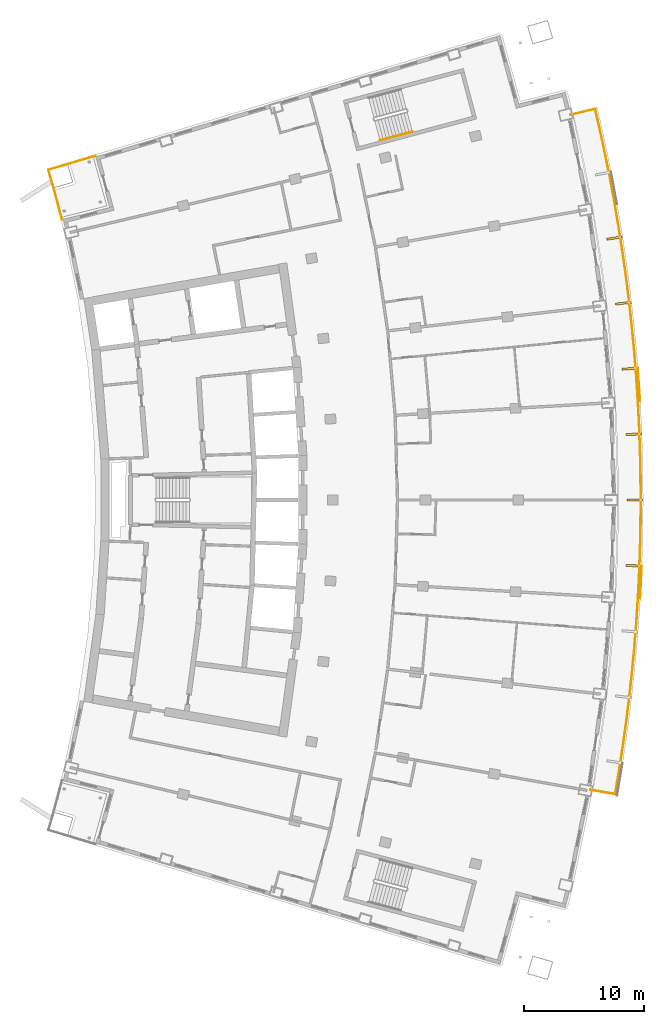
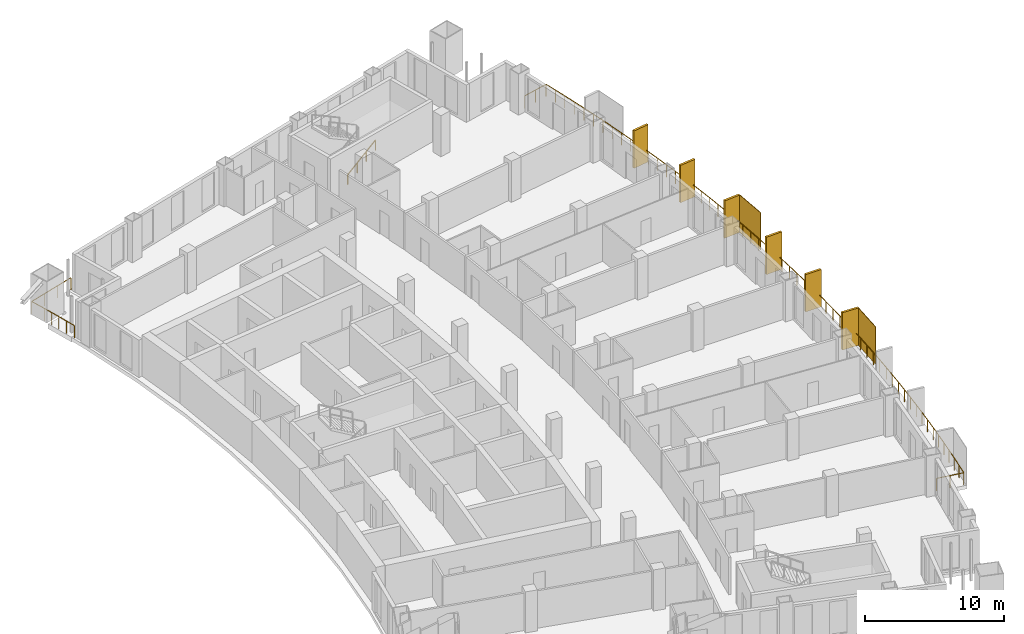
# One storey, part 18 of 19: 8 shading devices, 3 railings.
"""IFC4 building model written with IfcOpenShell, lengths in metres."""

from ifc_helpers import new_model, si_unit, direction, frame, origin, origin_2d, place, context, subcontext, project, spatial, rectangle, extrude, material, layer, layer_set, type_object, element, save


model = new_model("IFC4")

# Units and contexts
model_context = context("Model", 3, precision=1e-05, world=origin(), true_north=direction((0.0, 1.0)))
body_context = subcontext(model_context, "Body", "Model", "MODEL_VIEW")
ifc_project = project(units=[si_unit("LENGTHUNIT", "METRE"), si_unit("AREAUNIT", "SQUARE_METRE"), si_unit("VOLUMEUNIT", "CUBIC_METRE"), si_unit("PLANEANGLEUNIT", "RADIAN"), si_unit("MASSUNIT", "GRAM", prefix="KILO")], contexts=[model_context])

# Site, building, storey
site_placement = place(None, origin())
site = spatial("IfcSite", under=ifc_project, at=site_placement, CompositionType="ELEMENT")
building_placement = place(site_placement, origin())
building = spatial("IfcBuilding", under=site, at=building_placement, Name="Alderwake Tower", CompositionType="ELEMENT")
storey_placement = place(building_placement, frame((0.0, 0.0, 174.800048828125)))
storey = spatial("IfcBuildingStorey", under=building, at=storey_placement, Name="L43", CompositionType="ELEMENT", Elevation=174.800048828125)

# Railings
ifc_material_1 = material(Name="Stainless steel 316 rail and posts", Category="steel")
railing_type_1 = type_object("IfcRailingType", Name="Balcony guard 1100", PredefinedType="GUARDRAIL", material=ifc_material_1)
railing_1_placement = place(storey_placement, frame((57.2880859375, 36.826416015625, 0.0)))
element("IfcRailing", 1, at=railing_1_placement, inside=storey, type_object=railing_type_1, Name="Guard BF04", PredefinedType="GUARDRAIL", context=body_context, shape_type="SweptSolid", body=[
    extrude(rectangle(XDim=0.048095703125, YDim=0.048095703125, at=origin_2d()), frame((0.0, 0.0, 1.076171875), z_axis=(0.984840855066, -0.173460341844, 0.0), x_axis=(0.173460341844, 0.984840855066, 0.0)), (0.0, 0.0, 1.0), 2.099853515625),
    extrude(rectangle(XDim=0.048095703125, YDim=0.048095703125, at=origin_2d()), frame((2.068115234375, -0.3642578125, 1.076171875), z_axis=(0.166616540984, 0.98602176866, 0.0), x_axis=(-0.98602176866, 0.166616540984, 0.0)), (0.0, 0.0, 1.0), 1.96337890625),
    extrude(rectangle(XDim=0.048095703125, YDim=0.048095703125, at=origin_2d()), frame((2.395263671875, 1.57177734375, 1.076171875), z_axis=(0.152510602736, 0.988301834488, 0.0), x_axis=(-0.988301834488, 0.152510602736, 0.0)), (0.0, 0.0, 1.0), 2.0634765625),
    extrude(rectangle(XDim=0.048095703125, YDim=0.048095703125, at=origin_2d()), frame((2.7099609375, 3.611083984375, 1.076171875), z_axis=(0.13805839863, 0.99042409026, 0.0), x_axis=(-0.99042409026, 0.13805839863, 0.0)), (0.0, 0.0, 1.0), 2.063720703125),
    extrude(rectangle(XDim=0.048095703125, YDim=0.048095703125, at=origin_2d()), frame((2.994873046875, 5.655029296875, 1.076171875), z_axis=(0.123641547462, 0.992326945992, 0.0), x_axis=(-0.992326945992, 0.123641547462, 0.0)), (0.0, 0.0, 1.0), 2.0634765625),
    extrude(rectangle(XDim=0.048095703125, YDim=0.048095703125, at=origin_2d()), frame((3.25, 7.70263671875, 1.076171875), z_axis=(0.109197868393, 0.994020032765, 0.0), x_axis=(-0.994020032765, 0.109197868393, 0.0)), (0.0, 0.0, 1.0), 2.063720703125),
    extrude(rectangle(XDim=0.048095703125, YDim=0.048095703125, at=origin_2d()), frame((3.475341796875, 9.75390625, 1.076171875), z_axis=(0.094652754886, 0.995510349515, 0.0), x_axis=(-0.995510349515, 0.094652754886, 0.0)), (0.0, 0.0, 1.0), 2.0634765625),
    extrude(rectangle(XDim=0.048095703125, YDim=0.048095703125, at=origin_2d()), frame((3.670654296875, 11.80810546875, 1.076171875), z_axis=(0.08009789912, 0.996787001599, 0.0), x_axis=(-0.996787001599, 0.08009789912, 0.0)), (0.0, 0.0, 1.0), 2.0634765625),
    extrude(rectangle(XDim=0.048095703125, YDim=0.048095703125, at=origin_2d()), frame((3.8359375, 13.864990234375, 1.076171875), z_axis=(0.065545254579, 0.997849597686, 0.0), x_axis=(-0.997849597686, 0.065545254579, 0.0)), (0.0, 0.0, 1.0), 2.0634765625),
    extrude(rectangle(XDim=0.048095703125, YDim=0.048095703125, at=origin_2d()), frame((3.97119140625, 15.924072265625, 1.076171875), z_axis=(0.050993869739, 0.99869896628, 0.0), x_axis=(-0.99869896628, 0.050993869739, 0.0)), (0.0, 0.0, 1.0), 2.0634765625),
    extrude(rectangle(XDim=0.048095703125, YDim=0.048095703125, at=origin_2d()), frame((4.076416015625, 17.98486328125, 1.076171875), z_axis=(0.036438434606, 0.999335899727, 0.0), x_axis=(-0.999335899727, 0.036438434606, 0.0)), (0.0, 0.0, 1.0), 2.063720703125),
    extrude(rectangle(XDim=0.048095703125, YDim=0.048095703125, at=origin_2d()), frame((4.151611328125, 20.047119140625, 1.076171875), z_axis=(0.02200650366, 0.999757827575, 0.0), x_axis=(-0.999757827575, 0.02200650366, 0.0)), (0.0, 0.0, 1.0), 2.0634765625),
    extrude(rectangle(XDim=0.048095703125, YDim=0.048095703125, at=origin_2d()), frame((4.197021484375, 22.110107421875, 1.076171875), z_axis=(0.007217038732, 0.999973956837, 0.0), x_axis=(-0.999973956837, 0.007217038732, 0.0)), (0.0, 0.0, 1.0), 2.0634765625),
    extrude(rectangle(XDim=0.048095703125, YDim=0.048095703125, at=origin_2d()), frame((4.2119140625, 24.173583984375, 1.076171875), z_axis=(-0.007217038732, 0.999973956837, 0.0), x_axis=(-0.999973956837, -0.007217038732, 0.0)), (0.0, 0.0, 1.0), 2.0634765625),
    extrude(rectangle(XDim=0.048095703125, YDim=0.048095703125, at=origin_2d()), frame((4.197021484375, 26.237060546875, 1.076171875), z_axis=(-0.02200650366, 0.999757827575, 0.0), x_axis=(-0.999757827575, -0.02200650366, 0.0)), (0.0, 0.0, 1.0), 2.0634765625),
    extrude(rectangle(XDim=0.048095703125, YDim=0.048095703125, at=origin_2d()), frame((4.151611328125, 28.300048828125, 1.076171875), z_axis=(-0.036438434606, 0.999335899727, 0.0), x_axis=(-0.999335899727, -0.036438434606, 0.0)), (0.0, 0.0, 1.0), 2.063720703125),
    extrude(rectangle(XDim=0.048095703125, YDim=0.048095703125, at=origin_2d()), frame((4.076416015625, 30.3623046875, 1.076171875), z_axis=(-0.050993869739, 0.99869896628, 0.0), x_axis=(-0.99869896628, -0.050993869739, 0.0)), (0.0, 0.0, 1.0), 2.0634765625),
    extrude(rectangle(XDim=0.048095703125, YDim=0.048095703125, at=origin_2d()), frame((3.97119140625, 32.423095703125, 1.076171875), z_axis=(-0.065545254579, 0.997849597686, 0.0), x_axis=(-0.997849597686, -0.065545254579, 0.0)), (0.0, 0.0, 1.0), 2.0634765625),
    extrude(rectangle(XDim=0.048095703125, YDim=0.048095703125, at=origin_2d()), frame((3.8359375, 34.482177734375, 1.076171875), z_axis=(-0.08009789912, 0.996787001599, 0.0), x_axis=(-0.996787001599, -0.08009789912, 0.0)), (0.0, 0.0, 1.0), 2.0634765625),
    extrude(rectangle(XDim=0.048095703125, YDim=0.048095703125, at=origin_2d()), frame((3.670654296875, 36.5390625, 1.076171875), z_axis=(-0.094652754886, 0.995510349515, 0.0), x_axis=(-0.995510349515, -0.094652754886, 0.0)), (0.0, 0.0, 1.0), 2.0634765625),
    extrude(rectangle(XDim=0.048095703125, YDim=0.048095703125, at=origin_2d()), frame((3.475341796875, 38.59326171875, 1.076171875), z_axis=(-0.109197868393, 0.994020032765, 0.0), x_axis=(-0.994020032765, -0.109197868393, 0.0)), (0.0, 0.0, 1.0), 2.063720703125),
    extrude(rectangle(XDim=0.048095703125, YDim=0.048095703125, at=origin_2d()), frame((3.25, 40.64453125, 1.076171875), z_axis=(-0.123641547462, 0.992326945992, 0.0), x_axis=(-0.992326945992, -0.123641547462, 0.0)), (0.0, 0.0, 1.0), 2.0634765625),
    extrude(rectangle(XDim=0.048095703125, YDim=0.048095703125, at=origin_2d()), frame((2.994873046875, 42.692138671875, 1.076171875), z_axis=(-0.13805839863, 0.99042409026, 0.0), x_axis=(-0.99042409026, -0.13805839863, 0.0)), (0.0, 0.0, 1.0), 2.063720703125),
    extrude(rectangle(XDim=0.048095703125, YDim=0.048095703125, at=origin_2d()), frame((2.7099609375, 44.736083984375, 1.076171875), z_axis=(-0.152510602736, 0.988301834488, 0.0), x_axis=(-0.988301834488, -0.152510602736, 0.0)), (0.0, 0.0, 1.0), 2.0634765625),
    extrude(rectangle(XDim=0.048095703125, YDim=0.048095703125, at=origin_2d()), frame((2.395263671875, 46.775390625, 1.076171875), z_axis=(-0.166950324026, 0.985965308369, 0.0), x_axis=(-0.985965308369, -0.166950324026, 0.0)), (0.0, 0.0, 1.0), 2.0634765625),
    extrude(rectangle(XDim=0.048095703125, YDim=0.048095703125, at=origin_2d()), frame((2.05078125, 48.809814453125, 1.076171875), z_axis=(-0.181373216687, 0.983414336009, 0.0), x_axis=(-0.983414336009, -0.181373216687, 0.0)), (0.0, 0.0, 1.0), 2.0634765625),
    extrude(rectangle(XDim=0.048095703125, YDim=0.048095703125, at=origin_2d()), frame((1.676513671875, 50.839111328125, 1.076171875), z_axis=(-0.195570048473, 0.980689734901, 0.0), x_axis=(-0.980689734901, -0.195570048473, 0.0)), (0.0, 0.0, 1.0), 2.0634765625),
    extrude(rectangle(XDim=0.048095703125, YDim=0.048095703125, at=origin_2d()), frame((1.27294921875, 52.86279296875, 1.076171875), z_axis=(-0.209884586487, 0.97772616839, 0.0), x_axis=(-0.97772616839, -0.209884586487, 0.0)), (0.0, 0.0, 1.0), 2.0634765625),
    extrude(rectangle(XDim=0.048095703125, YDim=0.048095703125, at=origin_2d()), frame((0.83984375, 54.88037109375, 1.076171875), z_axis=(-0.223678856679, 0.974662900225, 0.0), x_axis=(-0.974662900225, -0.223678856679, 0.0)), (0.0, 0.0, 1.0), 1.963623046875),
    extrude(rectangle(XDim=0.048095703125, YDim=0.048095703125, at=origin_2d()), frame((0.400634765625, 56.794189453125, 1.076171875), z_axis=(-0.973063818564, -0.230535908269, 0.0), x_axis=(0.230535908269, -0.973063818564, 0.0)), (0.0, 0.0, 1.0), 2.10009765625),
    extrude(rectangle(XDim=0.0419921875, YDim=0.0419921875, at=origin_2d()), frame((0.0, 0.0, 0.0), z_axis=(0.0, 0.0, 1.0), x_axis=(0.984840855066, -0.173460341844, 0.0)), (0.0, 0.0, 1.0), 1.052001953125),
    extrude(rectangle(XDim=0.0419921875, YDim=0.0419921875, at=origin_2d()), frame((1.0341796875, -0.18212890625, 0.0), z_axis=(0.0, 0.0, 1.0), x_axis=(0.984840855066, -0.173460341844, 0.0)), (0.0, 0.0, 1.0), 1.052001953125),
    extrude(rectangle(XDim=0.0419921875, YDim=0.0419921875, at=origin_2d()), frame((2.068115234375, -0.3642578125, 0.0), z_axis=(0.0, 0.0, 1.0), x_axis=(0.166616540984, 0.98602176866, 0.0)), (0.0, 0.0, 1.0), 1.052001953125),
    extrude(rectangle(XDim=0.0419921875, YDim=0.0419921875, at=origin_2d()), frame((2.231689453125, 0.603759765625, 0.0), z_axis=(0.0, 0.0, 1.0), x_axis=(0.166616540984, 0.98602176866, 0.0)), (0.0, 0.0, 1.0), 1.052001953125),
    extrude(rectangle(XDim=0.0419921875, YDim=0.0419921875, at=origin_2d()), frame((2.395263671875, 1.57177734375, 0.0), z_axis=(0.0, 0.0, 1.0), x_axis=(0.152510602736, 0.988301834488, 0.0)), (0.0, 0.0, 1.0), 1.052001953125),
    extrude(rectangle(XDim=0.0419921875, YDim=0.0419921875, at=origin_2d()), frame((2.552734375, 2.59130859375, 0.0), z_axis=(0.0, 0.0, 1.0), x_axis=(0.152510602736, 0.988301834488, 0.0)), (0.0, 0.0, 1.0), 1.052001953125),
    extrude(rectangle(XDim=0.0419921875, YDim=0.0419921875, at=origin_2d()), frame((2.7099609375, 3.611083984375, 0.0), z_axis=(0.0, 0.0, 1.0), x_axis=(0.13805839863, 0.99042409026, 0.0)), (0.0, 0.0, 1.0), 1.052001953125),
    extrude(rectangle(XDim=0.0419921875, YDim=0.0419921875, at=origin_2d()), frame((2.8525390625, 4.633056640625, 0.0), z_axis=(0.0, 0.0, 1.0), x_axis=(0.13805839863, 0.99042409026, 0.0)), (0.0, 0.0, 1.0), 1.052001953125),
    extrude(rectangle(XDim=0.0419921875, YDim=0.0419921875, at=origin_2d()), frame((2.994873046875, 5.655029296875, 0.0), z_axis=(0.0, 0.0, 1.0), x_axis=(0.123641547462, 0.992326945992, 0.0)), (0.0, 0.0, 1.0), 1.052001953125),
    extrude(rectangle(XDim=0.0419921875, YDim=0.0419921875, at=origin_2d()), frame((3.12255859375, 6.6787109375, 0.0), z_axis=(0.0, 0.0, 1.0), x_axis=(0.123641547462, 0.992326945992, 0.0)), (0.0, 0.0, 1.0), 1.052001953125),
    extrude(rectangle(XDim=0.0419921875, YDim=0.0419921875, at=origin_2d()), frame((3.25, 7.70263671875, 0.0), z_axis=(0.0, 0.0, 1.0), x_axis=(0.109197868393, 0.994020032765, 0.0)), (0.0, 0.0, 1.0), 1.052001953125),
    extrude(rectangle(XDim=0.0419921875, YDim=0.0419921875, at=origin_2d()), frame((3.36279296875, 8.728271484375, 0.0), z_axis=(0.0, 0.0, 1.0), x_axis=(0.109197868393, 0.994020032765, 0.0)), (0.0, 0.0, 1.0), 1.052001953125),
    extrude(rectangle(XDim=0.0419921875, YDim=0.0419921875, at=origin_2d()), frame((3.475341796875, 9.75390625, 0.0), z_axis=(0.0, 0.0, 1.0), x_axis=(0.094652754886, 0.995510349515, 0.0)), (0.0, 0.0, 1.0), 1.052001953125),
    extrude(rectangle(XDim=0.0419921875, YDim=0.0419921875, at=origin_2d()), frame((3.572998046875, 10.781005859375, 0.0), z_axis=(0.0, 0.0, 1.0), x_axis=(0.094652754886, 0.995510349515, 0.0)), (0.0, 0.0, 1.0), 1.052001953125),
    extrude(rectangle(XDim=0.0419921875, YDim=0.0419921875, at=origin_2d()), frame((3.670654296875, 11.80810546875, 0.0), z_axis=(0.0, 0.0, 1.0), x_axis=(0.08009789912, 0.996787001599, 0.0)), (0.0, 0.0, 1.0), 1.052001953125),
    extrude(rectangle(XDim=0.0419921875, YDim=0.0419921875, at=origin_2d()), frame((3.75341796875, 12.83642578125, 0.0), z_axis=(0.0, 0.0, 1.0), x_axis=(0.08009789912, 0.996787001599, 0.0)), (0.0, 0.0, 1.0), 1.052001953125),
    extrude(rectangle(XDim=0.0419921875, YDim=0.0419921875, at=origin_2d()), frame((3.8359375, 13.864990234375, 0.0), z_axis=(0.0, 0.0, 1.0), x_axis=(0.065545254579, 0.997849597686, 0.0)), (0.0, 0.0, 1.0), 1.052001953125),
    extrude(rectangle(XDim=0.0419921875, YDim=0.0419921875, at=origin_2d()), frame((3.903564453125, 14.89453125, 0.0), z_axis=(0.0, 0.0, 1.0), x_axis=(0.065545254579, 0.997849597686, 0.0)), (0.0, 0.0, 1.0), 1.052001953125),
    extrude(rectangle(XDim=0.0419921875, YDim=0.0419921875, at=origin_2d()), frame((3.97119140625, 15.924072265625, 0.0), z_axis=(0.0, 0.0, 1.0), x_axis=(0.050993869739, 0.99869896628, 0.0)), (0.0, 0.0, 1.0), 1.052001953125),
    extrude(rectangle(XDim=0.0419921875, YDim=0.0419921875, at=origin_2d()), frame((4.02392578125, 16.95458984375, 0.0), z_axis=(0.0, 0.0, 1.0), x_axis=(0.050993869739, 0.99869896628, 0.0)), (0.0, 0.0, 1.0), 1.052001953125),
    extrude(rectangle(XDim=0.0419921875, YDim=0.0419921875, at=origin_2d()), frame((4.076416015625, 17.98486328125, 0.0), z_axis=(0.0, 0.0, 1.0), x_axis=(0.036438434606, 0.999335899727, 0.0)), (0.0, 0.0, 1.0), 1.052001953125),
    extrude(rectangle(XDim=0.0419921875, YDim=0.0419921875, at=origin_2d()), frame((4.114013671875, 19.01611328125, 0.0), z_axis=(0.0, 0.0, 1.0), x_axis=(0.036438434606, 0.999335899727, 0.0)), (0.0, 0.0, 1.0), 1.052001953125),
    extrude(rectangle(XDim=0.0419921875, YDim=0.0419921875, at=origin_2d()), frame((4.151611328125, 20.047119140625, 0.0), z_axis=(0.0, 0.0, 1.0), x_axis=(0.02200650366, 0.999757827575, 0.0)), (0.0, 0.0, 1.0), 1.052001953125),
    extrude(rectangle(XDim=0.0419921875, YDim=0.0419921875, at=origin_2d()), frame((4.17431640625, 21.07861328125, 0.0), z_axis=(0.0, 0.0, 1.0), x_axis=(0.02200650366, 0.999757827575, 0.0)), (0.0, 0.0, 1.0), 1.052001953125),
    extrude(rectangle(XDim=0.0419921875, YDim=0.0419921875, at=origin_2d()), frame((4.197021484375, 22.110107421875, 0.0), z_axis=(0.0, 0.0, 1.0), x_axis=(0.007217038732, 0.999973956837, 0.0)), (0.0, 0.0, 1.0), 1.052001953125),
    extrude(rectangle(XDim=0.0419921875, YDim=0.0419921875, at=origin_2d()), frame((4.20458984375, 23.141845703125, 0.0), z_axis=(0.0, 0.0, 1.0), x_axis=(0.007217038732, 0.999973956837, 0.0)), (0.0, 0.0, 1.0), 1.052001953125),
    extrude(rectangle(XDim=0.0419921875, YDim=0.0419921875, at=origin_2d()), frame((4.2119140625, 24.173583984375, 0.0), z_axis=(0.0, 0.0, 1.0), x_axis=(-0.007217038732, 0.999973956837, 0.0)), (0.0, 0.0, 1.0), 1.052001953125),
    extrude(rectangle(XDim=0.0419921875, YDim=0.0419921875, at=origin_2d()), frame((4.20458984375, 25.205322265625, 0.0), z_axis=(0.0, 0.0, 1.0), x_axis=(-0.007217038732, 0.999973956837, 0.0)), (0.0, 0.0, 1.0), 1.052001953125),
    extrude(rectangle(XDim=0.0419921875, YDim=0.0419921875, at=origin_2d()), frame((4.197021484375, 26.237060546875, 0.0), z_axis=(0.0, 0.0, 1.0), x_axis=(-0.02200650366, 0.999757827575, 0.0)), (0.0, 0.0, 1.0), 1.052001953125),
    extrude(rectangle(XDim=0.0419921875, YDim=0.0419921875, at=origin_2d()), frame((4.17431640625, 27.2685546875, 0.0), z_axis=(0.0, 0.0, 1.0), x_axis=(-0.02200650366, 0.999757827575, 0.0)), (0.0, 0.0, 1.0), 1.052001953125),
    extrude(rectangle(XDim=0.0419921875, YDim=0.0419921875, at=origin_2d()), frame((4.151611328125, 28.300048828125, 0.0), z_axis=(0.0, 0.0, 1.0), x_axis=(-0.036438434606, 0.999335899727, 0.0)), (0.0, 0.0, 1.0), 1.052001953125),
    extrude(rectangle(XDim=0.0419921875, YDim=0.0419921875, at=origin_2d()), frame((4.114013671875, 29.3310546875, 0.0), z_axis=(0.0, 0.0, 1.0), x_axis=(-0.036438434606, 0.999335899727, 0.0)), (0.0, 0.0, 1.0), 1.052001953125),
    extrude(rectangle(XDim=0.0419921875, YDim=0.0419921875, at=origin_2d()), frame((4.076416015625, 30.3623046875, 0.0), z_axis=(0.0, 0.0, 1.0), x_axis=(-0.050993869739, 0.99869896628, 0.0)), (0.0, 0.0, 1.0), 1.052001953125),
    extrude(rectangle(XDim=0.0419921875, YDim=0.0419921875, at=origin_2d()), frame((4.02392578125, 31.392578125, 0.0), z_axis=(0.0, 0.0, 1.0), x_axis=(-0.050993869739, 0.99869896628, 0.0)), (0.0, 0.0, 1.0), 1.052001953125),
    extrude(rectangle(XDim=0.0419921875, YDim=0.0419921875, at=origin_2d()), frame((3.97119140625, 32.423095703125, 0.0), z_axis=(0.0, 0.0, 1.0), x_axis=(-0.065545254579, 0.997849597686, 0.0)), (0.0, 0.0, 1.0), 1.052001953125),
    extrude(rectangle(XDim=0.0419921875, YDim=0.0419921875, at=origin_2d()), frame((3.903564453125, 33.45263671875, 0.0), z_axis=(0.0, 0.0, 1.0), x_axis=(-0.065545254579, 0.997849597686, 0.0)), (0.0, 0.0, 1.0), 1.052001953125),
    extrude(rectangle(XDim=0.0419921875, YDim=0.0419921875, at=origin_2d()), frame((3.8359375, 34.482177734375, 0.0), z_axis=(0.0, 0.0, 1.0), x_axis=(-0.08009789912, 0.996787001599, 0.0)), (0.0, 0.0, 1.0), 1.052001953125),
    extrude(rectangle(XDim=0.0419921875, YDim=0.0419921875, at=origin_2d()), frame((3.75341796875, 35.5107421875, 0.0), z_axis=(0.0, 0.0, 1.0), x_axis=(-0.08009789912, 0.996787001599, 0.0)), (0.0, 0.0, 1.0), 1.052001953125),
    extrude(rectangle(XDim=0.0419921875, YDim=0.0419921875, at=origin_2d()), frame((3.670654296875, 36.5390625, 0.0), z_axis=(0.0, 0.0, 1.0), x_axis=(-0.094652754886, 0.995510349515, 0.0)), (0.0, 0.0, 1.0), 1.052001953125),
    extrude(rectangle(XDim=0.0419921875, YDim=0.0419921875, at=origin_2d()), frame((3.572998046875, 37.566162109375, 0.0), z_axis=(0.0, 0.0, 1.0), x_axis=(-0.094652754886, 0.995510349515, 0.0)), (0.0, 0.0, 1.0), 1.052001953125),
    extrude(rectangle(XDim=0.0419921875, YDim=0.0419921875, at=origin_2d()), frame((3.475341796875, 38.59326171875, 0.0), z_axis=(0.0, 0.0, 1.0), x_axis=(-0.109197868393, 0.994020032765, 0.0)), (0.0, 0.0, 1.0), 1.052001953125),
    extrude(rectangle(XDim=0.0419921875, YDim=0.0419921875, at=origin_2d()), frame((3.36279296875, 39.618896484375, 0.0), z_axis=(0.0, 0.0, 1.0), x_axis=(-0.109197868393, 0.994020032765, 0.0)), (0.0, 0.0, 1.0), 1.052001953125),
    extrude(rectangle(XDim=0.0419921875, YDim=0.0419921875, at=origin_2d()), frame((3.25, 40.64453125, 0.0), z_axis=(0.0, 0.0, 1.0), x_axis=(-0.123641547462, 0.992326945992, 0.0)), (0.0, 0.0, 1.0), 1.052001953125),
    extrude(rectangle(XDim=0.0419921875, YDim=0.0419921875, at=origin_2d()), frame((3.12255859375, 41.66845703125, 0.0), z_axis=(0.0, 0.0, 1.0), x_axis=(-0.123641547462, 0.992326945992, 0.0)), (0.0, 0.0, 1.0), 1.052001953125),
    extrude(rectangle(XDim=0.0419921875, YDim=0.0419921875, at=origin_2d()), frame((2.994873046875, 42.692138671875, 0.0), z_axis=(0.0, 0.0, 1.0), x_axis=(-0.13805839863, 0.99042409026, 0.0)), (0.0, 0.0, 1.0), 1.052001953125),
    extrude(rectangle(XDim=0.0419921875, YDim=0.0419921875, at=origin_2d()), frame((2.8525390625, 43.714111328125, 0.0), z_axis=(0.0, 0.0, 1.0), x_axis=(-0.13805839863, 0.99042409026, 0.0)), (0.0, 0.0, 1.0), 1.052001953125),
    extrude(rectangle(XDim=0.0419921875, YDim=0.0419921875, at=origin_2d()), frame((2.7099609375, 44.736083984375, 0.0), z_axis=(0.0, 0.0, 1.0), x_axis=(-0.152510602736, 0.988301834488, 0.0)), (0.0, 0.0, 1.0), 1.052001953125),
    extrude(rectangle(XDim=0.0419921875, YDim=0.0419921875, at=origin_2d()), frame((2.552734375, 45.755859375, 0.0), z_axis=(0.0, 0.0, 1.0), x_axis=(-0.152510602736, 0.988301834488, 0.0)), (0.0, 0.0, 1.0), 1.052001953125),
    extrude(rectangle(XDim=0.0419921875, YDim=0.0419921875, at=origin_2d()), frame((2.395263671875, 46.775390625, 0.0), z_axis=(0.0, 0.0, 1.0), x_axis=(-0.166950324026, 0.985965308369, 0.0)), (0.0, 0.0, 1.0), 1.052001953125),
    extrude(rectangle(XDim=0.0419921875, YDim=0.0419921875, at=origin_2d()), frame((2.22314453125, 47.79248046875, 0.0), z_axis=(0.0, 0.0, 1.0), x_axis=(-0.166950324026, 0.985965308369, 0.0)), (0.0, 0.0, 1.0), 1.052001953125),
    extrude(rectangle(XDim=0.0419921875, YDim=0.0419921875, at=origin_2d()), frame((2.05078125, 48.809814453125, 0.0), z_axis=(0.0, 0.0, 1.0), x_axis=(-0.181373216687, 0.983414336009, 0.0)), (0.0, 0.0, 1.0), 1.052001953125),
    extrude(rectangle(XDim=0.0419921875, YDim=0.0419921875, at=origin_2d()), frame((1.86376953125, 49.824462890625, 0.0), z_axis=(0.0, 0.0, 1.0), x_axis=(-0.181373216687, 0.983414336009, 0.0)), (0.0, 0.0, 1.0), 1.052001953125),
    extrude(rectangle(XDim=0.0419921875, YDim=0.0419921875, at=origin_2d()), frame((1.676513671875, 50.839111328125, 0.0), z_axis=(0.0, 0.0, 1.0), x_axis=(-0.195570048473, 0.980689734901, 0.0)), (0.0, 0.0, 1.0), 1.052001953125),
    extrude(rectangle(XDim=0.0419921875, YDim=0.0419921875, at=origin_2d()), frame((1.474609375, 51.85107421875, 0.0), z_axis=(0.0, 0.0, 1.0), x_axis=(-0.195570048473, 0.980689734901, 0.0)), (0.0, 0.0, 1.0), 1.052001953125),
    extrude(rectangle(XDim=0.0419921875, YDim=0.0419921875, at=origin_2d()), frame((1.27294921875, 52.86279296875, 0.0), z_axis=(0.0, 0.0, 1.0), x_axis=(-0.209884586487, 0.97772616839, 0.0)), (0.0, 0.0, 1.0), 1.052001953125),
    extrude(rectangle(XDim=0.0419921875, YDim=0.0419921875, at=origin_2d()), frame((1.056396484375, 53.87158203125, 0.0), z_axis=(0.0, 0.0, 1.0), x_axis=(-0.209884586487, 0.97772616839, 0.0)), (0.0, 0.0, 1.0), 1.052001953125),
    extrude(rectangle(XDim=0.0419921875, YDim=0.0419921875, at=origin_2d()), frame((0.83984375, 54.88037109375, 0.0), z_axis=(0.0, 0.0, 1.0), x_axis=(-0.223678856679, 0.974662900225, 0.0)), (0.0, 0.0, 1.0), 1.052001953125),
    extrude(rectangle(XDim=0.0419921875, YDim=0.0419921875, at=origin_2d()), frame((0.6201171875, 55.83740234375, 0.0), z_axis=(0.0, 0.0, 1.0), x_axis=(-0.223678856679, 0.974662900225, 0.0)), (0.0, 0.0, 1.0), 1.052001953125),
    extrude(rectangle(XDim=0.0419921875, YDim=0.0419921875, at=origin_2d()), frame((0.400634765625, 56.794189453125, 0.0), z_axis=(0.0, 0.0, 1.0), x_axis=(-0.973063818564, -0.230535908269, 0.0)), (0.0, 0.0, 1.0), 1.052001953125),
    extrude(rectangle(XDim=0.0419921875, YDim=0.0419921875, at=origin_2d()), frame((-0.62109375, 56.55224609375, 0.0), z_axis=(0.0, 0.0, 1.0), x_axis=(-0.973063818564, -0.230535908269, 0.0)), (0.0, 0.0, 1.0), 1.052001953125),
    extrude(rectangle(XDim=0.0419921875, YDim=0.0419921875, at=origin_2d()), frame((-1.642822265625, 56.31005859375, 0.0), z_axis=(0.0, 0.0, 1.0), x_axis=(-0.973063818564, -0.230535908269, 0.0)), (0.0, 0.0, 1.0), 1.052001953125),
])
railing_2_placement = place(storey_placement, frame((13.210693359375, 84.387451171875, 0.0)))
element("IfcRailing", 2, at=railing_2_placement, inside=storey, type_object=railing_type_1, Name="Guard terrace RN", PredefinedType="GUARDRAIL", context=body_context, shape_type="SweptSolid", body=[
    extrude(rectangle(XDim=0.048095703125, YDim=0.048095703125, at=origin_2d()), frame((0.0, 0.0, 1.076171875), z_axis=(-0.251385381433, 0.967887075026, 0.0), x_axis=(-0.967887075026, -0.251385381433, 0.0)), (0.0, 0.0, 1.0), 1.6015625),
    extrude(rectangle(XDim=0.048095703125, YDim=0.048095703125, at=origin_2d()), frame((-0.402587890625, 1.550048828125, 1.076171875), z_axis=(-0.266520638672, 0.963829211615, 0.0), x_axis=(-0.963829211615, -0.266520638672, 0.0)), (0.0, 0.0, 1.0), 1.401611328125),
    extrude(rectangle(XDim=0.048095703125, YDim=0.048095703125, at=origin_2d()), frame((-0.776123046875, 2.90087890625, 1.076171875), z_axis=(-0.280093650878, 0.959972680204, 0.0), x_axis=(-0.959972680204, -0.280093650878, 0.0)), (0.0, 0.0, 1.0), 1.30126953125),
    extrude(rectangle(XDim=0.048095703125, YDim=0.048095703125, at=origin_2d()), frame((-1.140625, 4.150146484375, 1.076171875), z_axis=(0.958066871889, 0.286544706789, 0.0), x_axis=(-0.286544706789, 0.958066871889, 0.0)), (0.0, 0.0, 1.0), 4.099853515625),
    extrude(rectangle(XDim=0.0419921875, YDim=0.0419921875, at=origin_2d()), frame((0.0, 0.0, 0.0), z_axis=(0.0, 0.0, 1.0), x_axis=(-0.251385381433, 0.967887075026, 0.0)), (0.0, 0.0, 1.0), 1.052001953125),
    extrude(rectangle(XDim=0.0419921875, YDim=0.0419921875, at=origin_2d()), frame((-0.201171875, 0.77490234375, 0.0), z_axis=(0.0, 0.0, 1.0), x_axis=(-0.251385381433, 0.967887075026, 0.0)), (0.0, 0.0, 1.0), 1.052001953125),
    extrude(rectangle(XDim=0.0419921875, YDim=0.0419921875, at=origin_2d()), frame((-0.402587890625, 1.550048828125, 0.0), z_axis=(0.0, 0.0, 1.0), x_axis=(-0.266520638672, 0.963829211615, 0.0)), (0.0, 0.0, 1.0), 1.052001953125),
    extrude(rectangle(XDim=0.0419921875, YDim=0.0419921875, at=origin_2d()), frame((-0.58935546875, 2.2255859375, 0.0), z_axis=(0.0, 0.0, 1.0), x_axis=(-0.266520638672, 0.963829211615, 0.0)), (0.0, 0.0, 1.0), 1.052001953125),
    extrude(rectangle(XDim=0.0419921875, YDim=0.0419921875, at=origin_2d()), frame((-0.776123046875, 2.90087890625, 0.0), z_axis=(0.0, 0.0, 1.0), x_axis=(-0.280093650878, 0.959972680204, 0.0)), (0.0, 0.0, 1.0), 1.052001953125),
    extrude(rectangle(XDim=0.0419921875, YDim=0.0419921875, at=origin_2d()), frame((-1.140625, 4.150146484375, 0.0), z_axis=(0.0, 0.0, 1.0), x_axis=(0.958066871889, 0.286544706789, 0.0)), (0.0, 0.0, 1.0), 1.052001953125),
    extrude(rectangle(XDim=0.0419921875, YDim=0.0419921875, at=origin_2d()), frame((0.168701171875, 4.541748046875, 0.0), z_axis=(0.0, 0.0, 1.0), x_axis=(0.958066871889, 0.286544706789, 0.0)), (0.0, 0.0, 1.0), 1.052001953125),
    extrude(rectangle(XDim=0.0419921875, YDim=0.0419921875, at=origin_2d()), frame((1.47802734375, 4.933349609375, 0.0), z_axis=(0.0, 0.0, 1.0), x_axis=(0.958066871889, 0.286544706789, 0.0)), (0.0, 0.0, 1.0), 1.052001953125),
    extrude(rectangle(XDim=0.0419921875, YDim=0.0419921875, at=origin_2d()), frame((2.787353515625, 5.324951171875, 0.0), z_axis=(0.0, 0.0, 1.0), x_axis=(0.958066871889, 0.286544706789, 0.0)), (0.0, 0.0, 1.0), 1.052001953125),
])

# Shading devices
ifc_material_2 = material(Name="Bronze anodised aluminium", Category="aluminium")
ifc_layer_1 = layer(ifc_material_2, 0.179931640625)
ifc_layer_set_1 = layer_set([ifc_layer_1], Name="Facade fin 1300")
shading_device_type_1 = type_object("IfcShadingDeviceType", Name="Facade fin 1300", PredefinedType="USERDEFINED", material=ifc_layer_set_1)
for number, where, z_axis, x_axis, name in (
    (3, (60.893310546875, 55.5166015625, 0.0), (0.0, 0.0, 1.0), (0.999243494356, -0.038890088543, 0.0), "Fin"),
    (4, (61.0, 61.0, 0.0), (0.0, 0.0, 1.0), (1.0, 0.0, 0.0), "Fin"),
    (5, (60.893310546875, 66.4833984375, 0.0), (0.0, 0.0, 1.0), (0.999243494356, 0.038890088543, 0.0), "Fin"),
    (6, (60.573486328125, 71.958740234375, 0.0), (0.0, 0.0, 1.0), (0.996975122026, 0.077721335943, 0.0), "Fin"),
    (7, (60.041015625, 77.41748046875, 0.0), (0.0, 0.0, 1.0), (0.993198315083, 0.116434990084, 0.0), "Fin"),
    (8, (59.29638671875, 82.851318359375, 0.0), (0.0, 0.0, 1.0), (0.987918787879, 0.154972476771, 0.0), "Fin"),
):
    element("IfcShadingDevice", number, at=place(storey_placement, frame(where, z_axis=z_axis, x_axis=x_axis)), inside=storey, type_object=shading_device_type_1, Name=name, ObjectType="FIN", PredefinedType="USERDEFINED", context=body_context, shape_type="SweptSolid", body=[
        extrude(rectangle(XDim=1.300048828125, YDim=0.179931640625, at=origin_2d()), origin(), (0.0, 0.0, 1.0), 3.280029296875),
    ])
ifc_material_3 = material(Name="Perforated bronze anodised aluminium", Category="aluminium")
ifc_layer_2 = layer(ifc_material_3, 0.050048828125)
ifc_layer_set_2 = layer_set([ifc_layer_2], Name="Perforated screen panel")
shading_device_type_2 = type_object("IfcShadingDeviceType", Name="Perforated screen panel", PredefinedType="USERDEFINED", material=ifc_layer_set_2)
shading_device_1_placement = place(storey_placement, frame((61.501220703125, 54.11767578125, 0.0), z_axis=(0.0, 0.0, 1.0), x_axis=(0.998819231138, -0.048581308217, 0.0)))
element("IfcShadingDevice", 9, at=shading_device_1_placement, inside=storey, type_object=shading_device_type_2, Name="Screen panel", ObjectType="SCREEN", PredefinedType="USERDEFINED", context=body_context, shape_type="SweptSolid", body=[
    extrude(rectangle(XDim=0.050048828125, YDim=2.74853515625, at=origin_2d()), origin(), (0.0, 0.0, 1.0), 3.280029296875),
])
shading_device_2_placement = place(storey_placement, frame((61.34033203125, 70.633056640625, 0.0), z_axis=(0.0, 0.0, 1.0), x_axis=(0.997685465774, 0.067997877779, 0.0)))
element("IfcShadingDevice", 10, at=shading_device_2_placement, inside=storey, type_object=shading_device_type_2, Name="Screen panel", ObjectType="SCREEN", PredefinedType="USERDEFINED", context=body_context, shape_type="SweptSolid", body=[
    extrude(rectangle(XDim=0.050048828125, YDim=2.7626953125, at=origin_2d()), origin(), (0.0, 0.0, 1.0), 3.280029296875),
])

# Railing
ifc_material_4 = material(Name="Stainless steel handrail", Category="steel")
railing_type_2 = type_object("IfcRailingType", Name="Stair handrail 900", PredefinedType="HANDRAIL", material=ifc_material_4)
railing_3_placement = place(storey_placement, frame((39.731689453125, 91.002685546875, 0.16357421875)))
element("IfcRailing", 11, at=railing_3_placement, inside=storey, type_object=railing_type_2, Name="L43 ST-A stair handrail 1", PredefinedType="HANDRAIL", context=body_context, shape_type="SweptSolid", body=[
    extrude(rectangle(XDim=0.048095703125, YDim=0.048095703125, at=origin_2d()), frame((0.0, 0.0, 0.8759765625), z_axis=(0.834258940753, 0.22222815314, 0.504605457487), x_axis=(-0.257402139082, 0.966304371715, 0.0)), (0.0, 0.0, 1.0), 3.2431640625),
    extrude(rectangle(XDim=0.0419921875, YDim=0.0419921875, at=origin_2d()), frame((0.0, 0.0, 0.0), z_axis=(0.0, 0.0, 1.0), x_axis=(0.966304371715, 0.257402139082, 0.0)), (0.0, 0.0, 1.0), 0.851806640625),
    extrude(rectangle(XDim=0.0419921875, YDim=0.0419921875, at=origin_2d()), frame((0.90185546875, 0.240234375, 0.54541015625), z_axis=(0.0, 0.0, 1.0), x_axis=(0.966304371715, 0.257402139082, 0.0)), (0.0, 0.0, 1.0), 0.851806640625),
    extrude(rectangle(XDim=0.0419921875, YDim=0.0419921875, at=origin_2d()), frame((1.8037109375, 0.48046875, 1.091064453125), z_axis=(0.0, 0.0, 1.0), x_axis=(0.966304371715, 0.257402139082, 0.0)), (0.0, 0.0, 1.0), 0.851806640625),
    extrude(rectangle(XDim=0.0419921875, YDim=0.0419921875, at=origin_2d()), frame((2.70556640625, 0.720703125, 1.636474609375), z_axis=(0.0, 0.0, 1.0), x_axis=(0.966304371715, 0.257402139082, 0.0)), (0.0, 0.0, 1.0), 0.851806640625),
])

save(model, "model.ifc")
